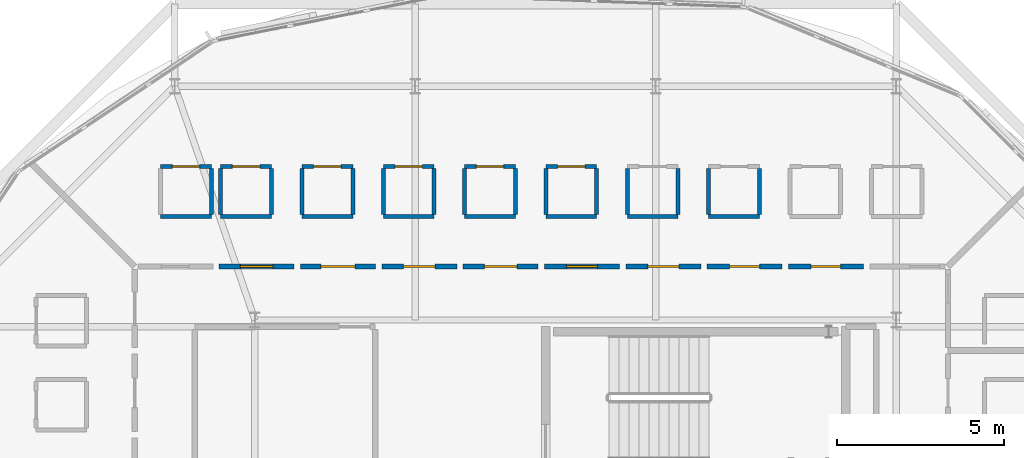
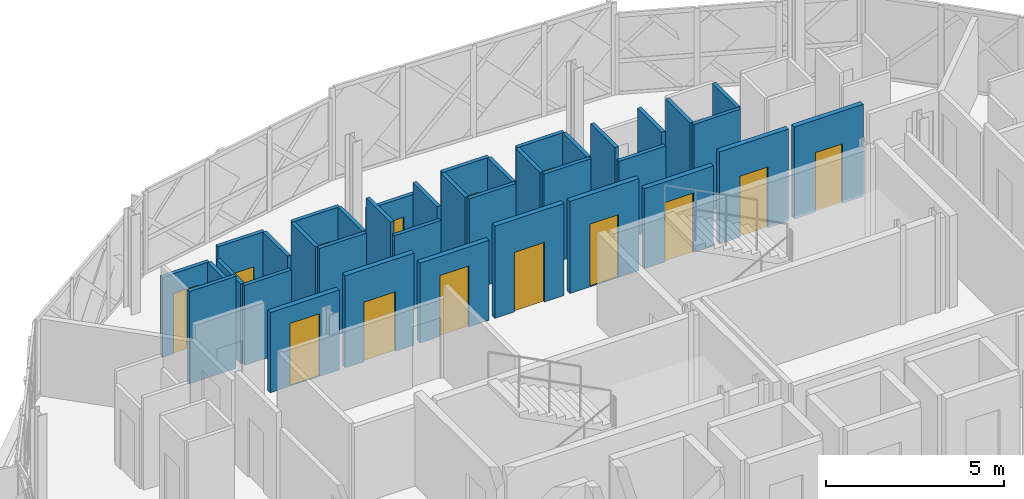
# One storey, part 18 of 24: 37 walls, 14 doors, 14 openings.
"""IFC4 building model written with IfcOpenShell, lengths in metres."""

from ifc_helpers import new_model, si_unit, direction, frame, frame_2d, origin, place, context, subcontext, project, spatial, rectangle, extrude, material, layer, layer_set, type_object, element, fill, save


model = new_model("IFC4")

# Units and contexts
model_context = context("Model", 3, precision=1e-05, world=origin(), true_north=direction((0.0, 1.0)))
body_context = subcontext(model_context, "Body", "Model", "MODEL_VIEW")
ifc_project = project(units=[si_unit("LENGTHUNIT", "METRE"), si_unit("AREAUNIT", "SQUARE_METRE"), si_unit("VOLUMEUNIT", "CUBIC_METRE"), si_unit("PLANEANGLEUNIT", "RADIAN"), si_unit("MASSUNIT", "GRAM", prefix="KILO")], contexts=[model_context])

# Site, building, storey
site_placement = place(None, origin())
site = spatial("IfcSite", under=ifc_project, at=site_placement, CompositionType="ELEMENT")
building_placement = place(site_placement, origin())
building = spatial("IfcBuilding", under=site, at=building_placement, Name="Zevrakil Square Congress Hotel", CompositionType="ELEMENT")
storey_placement = place(building_placement, frame((0.0, 0.0, 31.699951171875)))
storey = spatial("IfcBuildingStorey", under=building, at=storey_placement, Name="L09", CompositionType="ELEMENT", Elevation=31.699951171875)

# Wall, opening, door
ifc_material_1 = material(Name="Gypsum Acoustic Stud Partition")
ifc_layer_1 = layer(ifc_material_1, 0.159912109375)
ifc_layer_set_1 = layer_set([ifc_layer_1], Name="Gypsum Acoustic Stud Partition")
wall_type_1 = type_object("IfcWallType", Name="WAL-CORR-160", PredefinedType="PARTITIONING", material=ifc_layer_set_1)
wall_1_placement = place(storey_placement, frame((152.77490234375, 40.199951171875, 0.0), z_axis=(0.0, 0.0, 1.0), x_axis=(1.0, 0.0, 0.0)))
wall_1 = element("IfcWall", 1, at=wall_1_placement, inside=storey, type_object=wall_type_1, Name="L09 interior partition PW-L09-1478", PredefinedType="PARTITIONING", context=body_context, shape_type="SweptSolid", body=[
    extrude(rectangle(XDim=2.2451171875, YDim=0.159912109375, at=frame_2d((1.12255859375, 0.0))), origin(), (0.0, 0.0, 1.0), 3.170166015625),
])
opening_1_placement = place(wall_1_placement, frame((0.6826171875, 0.0, 0.0)))
opening_1 = element("IfcOpeningElement", 2, at=opening_1_placement, cuts=wall_1, Name="Opening ID-G02", PredefinedType="OPENING", context=body_context, shape_type="SweptSolid", body=[
    extrude(rectangle(XDim=0.8798828125, YDim=2.050048828125, at=frame_2d((0.43994140625, 1.02490234375))), frame((0.0, 0.08984375, 0.0), z_axis=(0.0, -1.0, 0.0), x_axis=(1.0, 0.0, 0.0)), (0.0, 0.0, 1.0), 0.179931640625),
])
ifc_material_2 = material(Name="Acoustic Timber Fire Door", Category="wood")
door_type_1 = type_object("IfcDoorType", Name="DOR-INT-G02", OperationType="NOTDEFINED", PredefinedType="DOOR", material=ifc_material_2)
door_1_placement = place(opening_1_placement, origin())
door_1 = element("IfcDoor", 3, at=door_1_placement, inside=storey, type_object=door_type_1, Name="L09 interior door 576", OperationType="SINGLE_SWING_RIGHT", OverallHeight=2.050048828125, OverallWidth=0.8798828125, PredefinedType="DOOR", context=body_context, shape_type="SweptSolid", body=[
    extrude(rectangle(XDim=0.8798828125, YDim=2.050048828125, at=frame_2d((0.43994140625, 1.02490234375))), frame((0.0, 0.02490234375, 0.0), z_axis=(0.0, -1.0, 0.0), x_axis=(1.0, 0.0, 0.0)), (0.0, 0.0, 1.0), 0.050048828125),
])
fill(opening_1, door_1)

wall_2_placement = place(storey_placement, frame((150.340087890625, 40.199951171875, 0.0), z_axis=(0.0, 0.0, 1.0), x_axis=(1.0, 0.0, 0.0)))
wall_2 = element("IfcWall", 4, at=wall_2_placement, inside=storey, type_object=wall_type_1, Name="L09 interior partition PW-L09-1483", PredefinedType="PARTITIONING", context=body_context, shape_type="SweptSolid", body=[
    extrude(rectangle(XDim=2.244873046875, YDim=0.159912109375, at=frame_2d((1.12255859375, 0.0))), origin(), (0.0, 0.0, 1.0), 3.170166015625),
])
opening_2_placement = place(wall_2_placement, frame((0.672607421875, 0.0, 0.0)))
opening_2 = element("IfcOpeningElement", 5, at=opening_2_placement, cuts=wall_2, Name="Opening ID-H05", PredefinedType="OPENING", context=body_context, shape_type="SweptSolid", body=[
    extrude(rectangle(XDim=0.89990234375, YDim=2.10009765625, at=frame_2d((0.449951171875, 1.050048828125))), frame((0.0, 0.08984375, 0.0), z_axis=(0.0, -1.0, 0.0), x_axis=(1.0, 0.0, 0.0)), (0.0, 0.0, 1.0), 0.179931640625),
])
ifc_material_3 = material(Name="Acoustic Timber Fire Door", Category="wood")
door_type_2 = type_object("IfcDoorType", Name="DOR-INT-H05", OperationType="NOTDEFINED", PredefinedType="DOOR", material=ifc_material_3)
door_2_placement = place(opening_2_placement, origin())
door_2 = element("IfcDoor", 6, at=door_2_placement, inside=storey, type_object=door_type_2, Name="L09 interior door 578", OperationType="SINGLE_SWING_RIGHT", OverallHeight=2.10009765625, OverallWidth=0.89990234375, PredefinedType="DOOR", context=body_context, shape_type="SweptSolid", body=[
    extrude(rectangle(XDim=0.89990234375, YDim=2.10009765625, at=frame_2d((0.449951171875, 1.050048828125))), frame((0.0, 0.02490234375, 0.0), z_axis=(0.0, -1.0, 0.0), x_axis=(1.0, 0.0, 0.0)), (0.0, 0.0, 1.0), 0.050048828125),
])
fill(opening_2, door_2)

wall_3_placement = place(storey_placement, frame((147.905029296875, 40.199951171875, 0.0), z_axis=(0.0, 0.0, 1.0), x_axis=(1.0, 0.0, 0.0)))
wall_3 = element("IfcWall", 7, at=wall_3_placement, inside=storey, type_object=wall_type_1, Name="L09 interior partition PW-L09-1488", PredefinedType="PARTITIONING", context=body_context, shape_type="SweptSolid", body=[
    extrude(rectangle(XDim=2.244873046875, YDim=0.159912109375, at=frame_2d((1.12255859375, 0.0))), origin(), (0.0, 0.0, 1.0), 2.755126953125),
])
opening_3_placement = place(wall_3_placement, frame((0.657470703125, 0.0, 0.0)))
opening_3 = element("IfcOpeningElement", 8, at=opening_3_placement, cuts=wall_3, Name="Opening ID-G04", PredefinedType="OPENING", context=body_context, shape_type="SweptSolid", body=[
    extrude(rectangle(XDim=0.929931640625, YDim=2.050048828125, at=frame_2d((0.46484375, 1.02490234375))), frame((0.0, 0.08984375, 0.0), z_axis=(0.0, -1.0, 0.0), x_axis=(1.0, 0.0, 0.0)), (0.0, 0.0, 1.0), 0.179931640625),
])
ifc_material_4 = material(Name="Acoustic Timber Fire Door", Category="wood")
door_type_3 = type_object("IfcDoorType", Name="DOR-INT-G04", OperationType="NOTDEFINED", PredefinedType="DOOR", material=ifc_material_4)
door_3_placement = place(opening_3_placement, origin())
door_3 = element("IfcDoor", 9, at=door_3_placement, inside=storey, type_object=door_type_3, Name="L09 interior door 580", OperationType="SINGLE_SWING_RIGHT", OverallHeight=2.050048828125, OverallWidth=0.929931640625, PredefinedType="DOOR", context=body_context, shape_type="SweptSolid", body=[
    extrude(rectangle(XDim=0.929931640625, YDim=2.050048828125, at=frame_2d((0.46484375, 1.02490234375))), frame((0.0, 0.02490234375, 0.0), z_axis=(0.0, -1.0, 0.0), x_axis=(1.0, 0.0, 0.0)), (0.0, 0.0, 1.0), 0.050048828125),
])
fill(opening_3, door_3)

wall_4_placement = place(storey_placement, frame((145.469970703125, 40.199951171875, 0.0), z_axis=(0.0, 0.0, 1.0), x_axis=(1.0, 0.0, 0.0)))
wall_4 = element("IfcWall", 10, at=wall_4_placement, inside=storey, type_object=wall_type_1, Name="L09 interior partition PW-L09-1493", PredefinedType="PARTITIONING", context=body_context, shape_type="SweptSolid", body=[
    extrude(rectangle(XDim=2.2451171875, YDim=0.159912109375, at=frame_2d((1.12255859375, 0.0))), origin(), (0.0, 0.0, 1.0), 3.170166015625),
])
opening_4_placement = place(wall_4_placement, frame((0.660400390625, 0.0, 0.0)))
opening_4 = element("IfcOpeningElement", 11, at=opening_4_placement, cuts=wall_4, Name="Opening ID-H07", PredefinedType="OPENING", context=body_context, shape_type="SweptSolid", body=[
    extrude(rectangle(XDim=0.924072265625, YDim=2.159912109375, at=frame_2d((0.4619140625, 1.080078125))), frame((0.0, 0.08984375, 0.0), z_axis=(0.0, -1.0, 0.0), x_axis=(1.0, 0.0, 0.0)), (0.0, 0.0, 1.0), 0.179931640625),
])
ifc_material_5 = material(Name="Acoustic Timber Fire Door", Category="wood")
door_type_4 = type_object("IfcDoorType", Name="DOR-INT-H07", OperationType="NOTDEFINED", PredefinedType="DOOR", material=ifc_material_5)
door_4_placement = place(opening_4_placement, origin())
door_4 = element("IfcDoor", 12, at=door_4_placement, inside=storey, type_object=door_type_4, Name="L09 interior door 582", OperationType="SINGLE_SWING_RIGHT", OverallHeight=2.159912109375, OverallWidth=0.924072265625, PredefinedType="DOOR", context=body_context, shape_type="SweptSolid", body=[
    extrude(rectangle(XDim=0.924072265625, YDim=2.159912109375, at=frame_2d((0.4619140625, 1.080078125))), frame((0.0, 0.02490234375, 0.0), z_axis=(0.0, -1.0, 0.0), x_axis=(1.0, 0.0, 0.0)), (0.0, 0.0, 1.0), 0.050048828125),
])
fill(opening_4, door_4)

wall_5_placement = place(storey_placement, frame((143.034912109375, 40.199951171875, 0.0), z_axis=(0.0, 0.0, 1.0), x_axis=(1.0, 0.0, 0.0)))
wall_5 = element("IfcWall", 13, at=wall_5_placement, inside=storey, type_object=wall_type_1, Name="L09 interior partition PW-L09-1498", PredefinedType="PARTITIONING", context=body_context, shape_type="SweptSolid", body=[
    extrude(rectangle(XDim=2.2451171875, YDim=0.159912109375, at=frame_2d((1.12255859375, 0.0))), origin(), (0.0, 0.0, 1.0), 3.170166015625),
])
opening_5_placement = place(wall_5_placement, frame((0.632568359375, 0.0, 0.0)))
opening_5 = element("IfcOpeningElement", 14, at=opening_5_placement, cuts=wall_5, Name="Opening ID-G06", PredefinedType="OPENING", context=body_context, shape_type="SweptSolid", body=[
    extrude(rectangle(XDim=0.97998046875, YDim=2.050048828125, at=frame_2d((0.489990234375, 1.02490234375))), frame((0.0, 0.08984375, 0.0), z_axis=(0.0, -1.0, 0.0), x_axis=(1.0, 0.0, 0.0)), (0.0, 0.0, 1.0), 0.179931640625),
])
ifc_material_6 = material(Name="Acoustic Timber Fire Door", Category="wood")
door_type_5 = type_object("IfcDoorType", Name="DOR-INT-G06", OperationType="NOTDEFINED", PredefinedType="DOOR", material=ifc_material_6)
door_5_placement = place(opening_5_placement, origin())
door_5 = element("IfcDoor", 15, at=door_5_placement, inside=storey, type_object=door_type_5, Name="L09 interior door 584", OperationType="SINGLE_SWING_RIGHT", OverallHeight=2.050048828125, OverallWidth=0.97998046875, PredefinedType="DOOR", context=body_context, shape_type="SweptSolid", body=[
    extrude(rectangle(XDim=0.97998046875, YDim=2.050048828125, at=frame_2d((0.489990234375, 1.02490234375))), frame((0.0, 0.02490234375, 0.0), z_axis=(0.0, -1.0, 0.0), x_axis=(1.0, 0.0, 0.0)), (0.0, 0.0, 1.0), 0.050048828125),
])
fill(opening_5, door_5)

wall_6_placement = place(storey_placement, frame((140.60009765625, 40.199951171875, 0.0), z_axis=(0.0, 0.0, 1.0), x_axis=(1.0, 0.0, 0.0)))
wall_6 = element("IfcWall", 16, at=wall_6_placement, inside=storey, type_object=wall_type_1, Name="L09 interior partition PW-L09-1503", PredefinedType="PARTITIONING", context=body_context, shape_type="SweptSolid", body=[
    extrude(rectangle(XDim=2.244873046875, YDim=0.159912109375, at=frame_2d((1.12255859375, 0.0))), origin(), (0.0, 0.0, 1.0), 2.755126953125),
])
opening_6_placement = place(wall_6_placement, frame((0.6484375, 0.0, 0.0)))
opening_6 = element("IfcOpeningElement", 17, at=opening_6_placement, cuts=wall_6, Name="Opening ID-H09", PredefinedType="OPENING", context=body_context, shape_type="SweptSolid", body=[
    extrude(rectangle(XDim=0.947998046875, YDim=2.10009765625, at=frame_2d((0.47412109375, 1.050048828125))), frame((0.0, 0.08984375, 0.0), z_axis=(0.0, -1.0, 0.0), x_axis=(1.0, 0.0, 0.0)), (0.0, 0.0, 1.0), 0.179931640625),
])
ifc_material_7 = material(Name="Acoustic Timber Fire Door", Category="wood")
door_type_6 = type_object("IfcDoorType", Name="DOR-INT-H09", OperationType="NOTDEFINED", PredefinedType="DOOR", material=ifc_material_7)
door_6_placement = place(opening_6_placement, origin())
door_6 = element("IfcDoor", 18, at=door_6_placement, inside=storey, type_object=door_type_6, Name="L09 interior door 586", OperationType="SINGLE_SWING_RIGHT", OverallHeight=2.10009765625, OverallWidth=0.947998046875, PredefinedType="DOOR", context=body_context, shape_type="SweptSolid", body=[
    extrude(rectangle(XDim=0.947998046875, YDim=2.10009765625, at=frame_2d((0.47412109375, 1.050048828125))), frame((0.0, 0.02490234375, 0.0), z_axis=(0.0, -1.0, 0.0), x_axis=(1.0, 0.0, 0.0)), (0.0, 0.0, 1.0), 0.050048828125),
])
fill(opening_6, door_6)

wall_7_placement = place(storey_placement, frame((138.1650390625, 40.199951171875, 0.0), z_axis=(0.0, 0.0, 1.0), x_axis=(1.0, 0.0, 0.0)))
wall_7 = element("IfcWall", 19, at=wall_7_placement, inside=storey, type_object=wall_type_1, Name="L09 interior partition PW-L09-1508", PredefinedType="PARTITIONING", context=body_context, shape_type="SweptSolid", body=[
    extrude(rectangle(XDim=2.244873046875, YDim=0.159912109375, at=frame_2d((1.12255859375, 0.0))), origin(), (0.0, 0.0, 1.0), 3.170166015625),
])
opening_7_placement = place(wall_7_placement, frame((0.607421875, 0.0, 0.0)))
opening_7 = element("IfcOpeningElement", 20, at=opening_7_placement, cuts=wall_7, Name="Opening ID-G08", PredefinedType="OPENING", context=body_context, shape_type="SweptSolid", body=[
    extrude(rectangle(XDim=1.030029296875, YDim=2.050048828125, at=frame_2d((0.51513671875, 1.02490234375))), frame((0.0, 0.08984375, 0.0), z_axis=(0.0, -1.0, 0.0), x_axis=(1.0, 0.0, 0.0)), (0.0, 0.0, 1.0), 0.179931640625),
])
ifc_material_8 = material(Name="Acoustic Timber Fire Door", Category="wood")
door_type_7 = type_object("IfcDoorType", Name="DOR-INT-G08", OperationType="NOTDEFINED", PredefinedType="DOOR", material=ifc_material_8)
door_7_placement = place(opening_7_placement, origin())
door_7 = element("IfcDoor", 21, at=door_7_placement, inside=storey, type_object=door_type_7, Name="L09 interior door 588", OperationType="SINGLE_SWING_RIGHT", OverallHeight=2.050048828125, OverallWidth=1.030029296875, PredefinedType="DOOR", context=body_context, shape_type="SweptSolid", body=[
    extrude(rectangle(XDim=1.030029296875, YDim=2.050048828125, at=frame_2d((0.51513671875, 1.02490234375))), frame((0.0, 0.02490234375, 0.0), z_axis=(0.0, -1.0, 0.0), x_axis=(1.0, 0.0, 0.0)), (0.0, 0.0, 1.0), 0.050048828125),
])
fill(opening_7, door_7)

wall_8_placement = place(storey_placement, frame((135.72998046875, 40.199951171875, 0.0), z_axis=(0.0, 0.0, 1.0), x_axis=(1.0, 0.0, 0.0)))
wall_8 = element("IfcWall", 22, at=wall_8_placement, inside=storey, type_object=wall_type_1, Name="L09 interior partition PW-L09-1513", PredefinedType="PARTITIONING", context=body_context, shape_type="SweptSolid", body=[
    extrude(rectangle(XDim=2.2451171875, YDim=0.159912109375, at=frame_2d((1.12255859375, 0.0))), origin(), (0.0, 0.0, 1.0), 2.755126953125),
])
opening_8_placement = place(wall_8_placement, frame((0.636474609375, 0.0, 0.0)))
opening_8 = element("IfcOpeningElement", 23, at=opening_8_placement, cuts=wall_8, Name="Opening ID-H11", PredefinedType="OPENING", context=body_context, shape_type="SweptSolid", body=[
    extrude(rectangle(XDim=0.971923828125, YDim=2.159912109375, at=frame_2d((0.48583984375, 1.080078125))), frame((0.0, 0.08984375, 0.0), z_axis=(0.0, -1.0, 0.0), x_axis=(1.0, 0.0, 0.0)), (0.0, 0.0, 1.0), 0.179931640625),
])
ifc_material_9 = material(Name="Acoustic Timber Fire Door", Category="wood")
door_type_8 = type_object("IfcDoorType", Name="DOR-INT-H11", OperationType="NOTDEFINED", PredefinedType="DOOR", material=ifc_material_9)
door_8_placement = place(opening_8_placement, origin())
door_8 = element("IfcDoor", 24, at=door_8_placement, inside=storey, type_object=door_type_8, Name="L09 interior door 590", OperationType="SINGLE_SWING_RIGHT", OverallHeight=2.159912109375, OverallWidth=0.971923828125, PredefinedType="DOOR", context=body_context, shape_type="SweptSolid", body=[
    extrude(rectangle(XDim=0.971923828125, YDim=2.159912109375, at=frame_2d((0.48583984375, 1.080078125))), frame((0.0, 0.02490234375, 0.0), z_axis=(0.0, -1.0, 0.0), x_axis=(1.0, 0.0, 0.0)), (0.0, 0.0, 1.0), 0.050048828125),
])
fill(opening_8, door_8)

# Walls
ifc_material_10 = material(Name="Moisture-Resistant Gypsum Partition")
ifc_layer_2 = layer(ifc_material_10, 0.1201171875)
ifc_layer_set_2 = layer_set([ifc_layer_2], Name="Moisture-Resistant Gypsum Partition")
wall_type_2 = type_object("IfcWallType", Name="WAL-ENS-120", PredefinedType="PARTITIONING", material=ifc_layer_set_2)
wall_9_placement = place(storey_placement, frame((150.385009765625, 41.699951171875, 0.0), z_axis=(0.0, 0.0, 1.0), x_axis=(1.0, 0.0, 0.0)))
element("IfcWall", 25, at=wall_9_placement, inside=storey, type_object=wall_type_2, Name="L09 interior partition PW-L09-1484", PredefinedType="PARTITIONING", context=body_context, shape_type="SweptSolid", body=[
    extrude(rectangle(XDim=1.52001953125, YDim=0.1201171875, at=frame_2d((0.760009765625, 0.0))), origin(), (0.0, 0.0, 1.0), 3.170166015625),
])
for number, where, z_axis, x_axis, name in (
    (26, (150.385009765625, 41.764892578125, 0.0), (0.0, 0.0, 1.0), (0.0, 1.0, 0.0), "L09 interior partition PW-L09-1486"),
    (27, (151.905029296875, 41.764892578125, 0.0), (0.0, 0.0, 1.0), (0.0, 1.0, 0.0), "L09 interior partition PW-L09-1487"),
):
    element("IfcWall", number, at=place(storey_placement, frame(where, z_axis=z_axis, x_axis=x_axis)), inside=storey, type_object=wall_type_2, Name=name, PredefinedType="PARTITIONING", context=body_context, shape_type="SweptSolid", body=[
        extrude(rectangle(XDim=1.3701171875, YDim=0.1201171875, at=frame_2d((0.68505859375, 0.0))), origin(), (0.0, 0.0, 1.0), 3.170166015625),
    ])
wall_10_placement = place(storey_placement, frame((147.949951171875, 41.699951171875, 0.0), z_axis=(0.0, 0.0, 1.0), x_axis=(1.0, 0.0, 0.0)))
element("IfcWall", 28, at=wall_10_placement, inside=storey, type_object=wall_type_2, Name="L09 interior partition PW-L09-1489", PredefinedType="PARTITIONING", context=body_context, shape_type="SweptSolid", body=[
    extrude(rectangle(XDim=1.52001953125, YDim=0.1201171875, at=frame_2d((0.760009765625, 0.0))), origin(), (0.0, 0.0, 1.0), 2.755126953125),
])
for number, where, z_axis, x_axis, name in (
    (29, (147.949951171875, 41.764892578125, 0.0), (0.0, 0.0, 1.0), (0.0, 1.0, 0.0), "L09 interior partition PW-L09-1491"),
    (30, (149.469970703125, 41.764892578125, 0.0), (0.0, 0.0, 1.0), (0.0, 1.0, 0.0), "L09 interior partition PW-L09-1492"),
):
    element("IfcWall", number, at=place(storey_placement, frame(where, z_axis=z_axis, x_axis=x_axis)), inside=storey, type_object=wall_type_2, Name=name, PredefinedType="PARTITIONING", context=body_context, shape_type="SweptSolid", body=[
        extrude(rectangle(XDim=1.3701171875, YDim=0.1201171875, at=frame_2d((0.68505859375, 0.0))), origin(), (0.0, 0.0, 1.0), 3.170166015625),
    ])
wall_11_placement = place(storey_placement, frame((145.514892578125, 41.699951171875, 0.0), z_axis=(0.0, 0.0, 1.0), x_axis=(1.0, 0.0, 0.0)))
element("IfcWall", 31, at=wall_11_placement, inside=storey, type_object=wall_type_2, Name="L09 interior partition PW-L09-1494", PredefinedType="PARTITIONING", context=body_context, shape_type="SweptSolid", body=[
    extrude(rectangle(XDim=1.52001953125, YDim=0.1201171875, at=frame_2d((0.760009765625, 0.0))), origin(), (0.0, 0.0, 1.0), 3.170166015625),
])

# Wall, opening, door
wall_12_placement = place(storey_placement, frame((145.514892578125, 43.199951171875, 0.0), z_axis=(0.0, 0.0, 1.0), x_axis=(1.0, 0.0, 0.0)))
wall_12 = element("IfcWall", 32, at=wall_12_placement, inside=storey, type_object=wall_type_2, Name="L09 interior partition PW-L09-1495", PredefinedType="PARTITIONING", context=body_context, shape_type="SweptSolid", body=[
    extrude(rectangle(XDim=1.52001953125, YDim=0.1201171875, at=frame_2d((0.760009765625, 0.0))), origin(), (0.0, 0.0, 1.0), 3.170166015625),
])
opening_9_placement = place(wall_12_placement, frame((0.35009765625, 0.0, 0.0)))
opening_9 = element("IfcOpeningElement", 33, at=opening_9_placement, cuts=wall_12, Name="Opening ID-11", PredefinedType="OPENING", context=body_context, shape_type="SweptSolid", body=[
    extrude(rectangle(XDim=0.820068359375, YDim=2.080078125, at=frame_2d((0.41015625, 1.0400390625))), frame((0.0, 0.070068359375, 0.0), z_axis=(0.0, -1.0, 0.0), x_axis=(1.0, 0.0, 0.0)), (0.0, 0.0, 1.0), 0.14013671875),
])
ifc_material_11 = material(Name="Acoustic Timber Door", Category="wood")
door_type_9 = type_object("IfcDoorType", Name="DOR-INT-V01", OperationType="NOTDEFINED", PredefinedType="DOOR", material=ifc_material_11)
door_9_placement = place(opening_9_placement, origin())
door_9 = element("IfcDoor", 34, at=door_9_placement, inside=storey, type_object=door_type_9, Name="L09 interior door 583", OperationType="SINGLE_SWING_LEFT", OverallHeight=2.080078125, OverallWidth=0.820068359375, PredefinedType="DOOR", context=body_context, shape_type="SweptSolid", body=[
    extrude(rectangle(XDim=0.820068359375, YDim=2.080078125, at=frame_2d((0.41015625, 1.0400390625))), frame((0.0, 0.02490234375, 0.0), z_axis=(0.0, -1.0, 0.0), x_axis=(1.0, 0.0, 0.0)), (0.0, 0.0, 1.0), 0.050048828125),
])
fill(opening_9, door_9)

# Walls
for number, where, z_axis, x_axis, name in (
    (35, (145.514892578125, 41.764892578125, 0.0), (0.0, 0.0, 1.0), (0.0, 1.0, 0.0), "L09 interior partition PW-L09-1496"),
    (36, (147.034912109375, 41.764892578125, 0.0), (0.0, 0.0, 1.0), (0.0, 1.0, 0.0), "L09 interior partition PW-L09-1497"),
):
    element("IfcWall", number, at=place(storey_placement, frame(where, z_axis=z_axis, x_axis=x_axis)), inside=storey, type_object=wall_type_2, Name=name, PredefinedType="PARTITIONING", context=body_context, shape_type="SweptSolid", body=[
        extrude(rectangle(XDim=1.3701171875, YDim=0.1201171875, at=frame_2d((0.68505859375, 0.0))), origin(), (0.0, 0.0, 1.0), 3.170166015625),
    ])
wall_13_placement = place(storey_placement, frame((143.080078125, 41.699951171875, 0.0), z_axis=(0.0, 0.0, 1.0), x_axis=(1.0, 0.0, 0.0)))
element("IfcWall", 37, at=wall_13_placement, inside=storey, type_object=wall_type_2, Name="L09 interior partition PW-L09-1499", PredefinedType="PARTITIONING", context=body_context, shape_type="SweptSolid", body=[
    extrude(rectangle(XDim=1.52001953125, YDim=0.1201171875, at=frame_2d((0.760009765625, 0.0))), origin(), (0.0, 0.0, 1.0), 3.170166015625),
])

# Wall, opening, door
wall_14_placement = place(storey_placement, frame((143.080078125, 43.199951171875, 0.0), z_axis=(0.0, 0.0, 1.0), x_axis=(1.0, 0.0, 0.0)))
wall_14 = element("IfcWall", 38, at=wall_14_placement, inside=storey, type_object=wall_type_2, Name="L09 interior partition PW-L09-1500", PredefinedType="PARTITIONING", context=body_context, shape_type="SweptSolid", body=[
    extrude(rectangle(XDim=1.52001953125, YDim=0.1201171875, at=frame_2d((0.760009765625, 0.0))), origin(), (0.0, 0.0, 1.0), 3.170166015625),
])
opening_10_placement = place(wall_14_placement, frame((0.35009765625, 0.0, 0.0)))
opening_10 = element("IfcOpeningElement", 39, at=opening_10_placement, cuts=wall_14, Name="Opening ID-11", PredefinedType="OPENING", context=body_context, shape_type="SweptSolid", body=[
    extrude(rectangle(XDim=0.820068359375, YDim=2.080078125, at=frame_2d((0.41015625, 1.0400390625))), frame((0.0, 0.070068359375, 0.0), z_axis=(0.0, -1.0, 0.0), x_axis=(1.0, 0.0, 0.0)), (0.0, 0.0, 1.0), 0.14013671875),
])
door_10_placement = place(opening_10_placement, origin())
door_10 = element("IfcDoor", 40, at=door_10_placement, inside=storey, type_object=door_type_9, Name="L09 interior door 585", OperationType="SINGLE_SWING_LEFT", OverallHeight=2.080078125, OverallWidth=0.820068359375, PredefinedType="DOOR", context=body_context, shape_type="SweptSolid", body=[
    extrude(rectangle(XDim=0.820068359375, YDim=2.080078125, at=frame_2d((0.41015625, 1.0400390625))), frame((0.0, 0.02490234375, 0.0), z_axis=(0.0, -1.0, 0.0), x_axis=(1.0, 0.0, 0.0)), (0.0, 0.0, 1.0), 0.050048828125),
])
fill(opening_10, door_10)

# Walls
for number, where, z_axis, x_axis, name in (
    (41, (143.080078125, 41.764892578125, 0.0), (0.0, 0.0, 1.0), (0.0, 1.0, 0.0), "L09 interior partition PW-L09-1501"),
    (42, (144.60009765625, 41.764892578125, 0.0), (0.0, 0.0, 1.0), (0.0, 1.0, 0.0), "L09 interior partition PW-L09-1502"),
):
    element("IfcWall", number, at=place(storey_placement, frame(where, z_axis=z_axis, x_axis=x_axis)), inside=storey, type_object=wall_type_2, Name=name, PredefinedType="PARTITIONING", context=body_context, shape_type="SweptSolid", body=[
        extrude(rectangle(XDim=1.3701171875, YDim=0.1201171875, at=frame_2d((0.68505859375, 0.0))), origin(), (0.0, 0.0, 1.0), 3.170166015625),
    ])
wall_15_placement = place(storey_placement, frame((140.64501953125, 41.699951171875, 0.0), z_axis=(0.0, 0.0, 1.0), x_axis=(1.0, 0.0, 0.0)))
element("IfcWall", 43, at=wall_15_placement, inside=storey, type_object=wall_type_2, Name="L09 interior partition PW-L09-1504", PredefinedType="PARTITIONING", context=body_context, shape_type="SweptSolid", body=[
    extrude(rectangle(XDim=1.52001953125, YDim=0.1201171875, at=frame_2d((0.760009765625, 0.0))), origin(), (0.0, 0.0, 1.0), 2.755126953125),
])

# Wall, opening, door
wall_16_placement = place(storey_placement, frame((140.64501953125, 43.199951171875, 0.0), z_axis=(0.0, 0.0, 1.0), x_axis=(1.0, 0.0, 0.0)))
wall_16 = element("IfcWall", 44, at=wall_16_placement, inside=storey, type_object=wall_type_2, Name="L09 interior partition PW-L09-1505", PredefinedType="PARTITIONING", context=body_context, shape_type="SweptSolid", body=[
    extrude(rectangle(XDim=1.52001953125, YDim=0.1201171875, at=frame_2d((0.760009765625, 0.0))), origin(), (0.0, 0.0, 1.0), 2.755126953125),
])
opening_11_placement = place(wall_16_placement, frame((0.35009765625, 0.0, 0.0)))
opening_11 = element("IfcOpeningElement", 45, at=opening_11_placement, cuts=wall_16, Name="Opening ID-11", PredefinedType="OPENING", context=body_context, shape_type="SweptSolid", body=[
    extrude(rectangle(XDim=0.820068359375, YDim=2.080078125, at=frame_2d((0.41015625, 1.0400390625))), frame((0.0, 0.070068359375, 0.0), z_axis=(0.0, -1.0, 0.0), x_axis=(1.0, 0.0, 0.0)), (0.0, 0.0, 1.0), 0.14013671875),
])
door_11_placement = place(opening_11_placement, origin())
door_11 = element("IfcDoor", 46, at=door_11_placement, inside=storey, type_object=door_type_9, Name="L09 interior door 587", OperationType="SINGLE_SWING_LEFT", OverallHeight=2.080078125, OverallWidth=0.820068359375, PredefinedType="DOOR", context=body_context, shape_type="SweptSolid", body=[
    extrude(rectangle(XDim=0.820068359375, YDim=2.080078125, at=frame_2d((0.41015625, 1.0400390625))), frame((0.0, 0.02490234375, 0.0), z_axis=(0.0, -1.0, 0.0), x_axis=(1.0, 0.0, 0.0)), (0.0, 0.0, 1.0), 0.050048828125),
])
fill(opening_11, door_11)

# Walls
for number, where, z_axis, x_axis, name in (
    (47, (140.64501953125, 41.764892578125, 0.0), (0.0, 0.0, 1.0), (0.0, 1.0, 0.0), "L09 interior partition PW-L09-1506"),
    (48, (142.1650390625, 41.764892578125, 0.0), (0.0, 0.0, 1.0), (0.0, 1.0, 0.0), "L09 interior partition PW-L09-1507"),
):
    element("IfcWall", number, at=place(storey_placement, frame(where, z_axis=z_axis, x_axis=x_axis)), inside=storey, type_object=wall_type_2, Name=name, PredefinedType="PARTITIONING", context=body_context, shape_type="SweptSolid", body=[
        extrude(rectangle(XDim=1.3701171875, YDim=0.1201171875, at=frame_2d((0.68505859375, 0.0))), origin(), (0.0, 0.0, 1.0), 3.170166015625),
    ])
wall_17_placement = place(storey_placement, frame((138.2099609375, 41.699951171875, 0.0), z_axis=(0.0, 0.0, 1.0), x_axis=(1.0, 0.0, 0.0)))
element("IfcWall", 49, at=wall_17_placement, inside=storey, type_object=wall_type_2, Name="L09 interior partition PW-L09-1509", PredefinedType="PARTITIONING", context=body_context, shape_type="SweptSolid", body=[
    extrude(rectangle(XDim=1.52001953125, YDim=0.1201171875, at=frame_2d((0.760009765625, 0.0))), origin(), (0.0, 0.0, 1.0), 3.170166015625),
])

# Wall, opening, door
wall_18_placement = place(storey_placement, frame((138.2099609375, 43.199951171875, 0.0), z_axis=(0.0, 0.0, 1.0), x_axis=(1.0, 0.0, 0.0)))
wall_18 = element("IfcWall", 50, at=wall_18_placement, inside=storey, type_object=wall_type_2, Name="L09 interior partition PW-L09-1510", PredefinedType="PARTITIONING", context=body_context, shape_type="SweptSolid", body=[
    extrude(rectangle(XDim=1.52001953125, YDim=0.1201171875, at=frame_2d((0.760009765625, 0.0))), origin(), (0.0, 0.0, 1.0), 3.170166015625),
])
opening_12_placement = place(wall_18_placement, frame((0.35009765625, 0.0, 0.0)))
opening_12 = element("IfcOpeningElement", 51, at=opening_12_placement, cuts=wall_18, Name="Opening ID-11", PredefinedType="OPENING", context=body_context, shape_type="SweptSolid", body=[
    extrude(rectangle(XDim=0.820068359375, YDim=2.080078125, at=frame_2d((0.41015625, 1.0400390625))), frame((0.0, 0.070068359375, 0.0), z_axis=(0.0, -1.0, 0.0), x_axis=(1.0, 0.0, 0.0)), (0.0, 0.0, 1.0), 0.14013671875),
])
door_12_placement = place(opening_12_placement, origin())
door_12 = element("IfcDoor", 52, at=door_12_placement, inside=storey, type_object=door_type_9, Name="L09 interior door 589", OperationType="SINGLE_SWING_LEFT", OverallHeight=2.080078125, OverallWidth=0.820068359375, PredefinedType="DOOR", context=body_context, shape_type="SweptSolid", body=[
    extrude(rectangle(XDim=0.820068359375, YDim=2.080078125, at=frame_2d((0.41015625, 1.0400390625))), frame((0.0, 0.02490234375, 0.0), z_axis=(0.0, -1.0, 0.0), x_axis=(1.0, 0.0, 0.0)), (0.0, 0.0, 1.0), 0.050048828125),
])
fill(opening_12, door_12)

# Walls
for number, where, z_axis, x_axis, name in (
    (53, (138.2099609375, 41.764892578125, 0.0), (0.0, 0.0, 1.0), (0.0, 1.0, 0.0), "L09 interior partition PW-L09-1511"),
    (54, (139.72998046875, 41.764892578125, 0.0), (0.0, 0.0, 1.0), (0.0, 1.0, 0.0), "L09 interior partition PW-L09-1512"),
):
    element("IfcWall", number, at=place(storey_placement, frame(where, z_axis=z_axis, x_axis=x_axis)), inside=storey, type_object=wall_type_2, Name=name, PredefinedType="PARTITIONING", context=body_context, shape_type="SweptSolid", body=[
        extrude(rectangle(XDim=1.3701171875, YDim=0.1201171875, at=frame_2d((0.68505859375, 0.0))), origin(), (0.0, 0.0, 1.0), 3.170166015625),
    ])
wall_19_placement = place(storey_placement, frame((135.77490234375, 41.699951171875, 0.0), z_axis=(0.0, 0.0, 1.0), x_axis=(1.0, 0.0, 0.0)))
element("IfcWall", 55, at=wall_19_placement, inside=storey, type_object=wall_type_2, Name="L09 interior partition PW-L09-1514", PredefinedType="PARTITIONING", context=body_context, shape_type="SweptSolid", body=[
    extrude(rectangle(XDim=1.52001953125, YDim=0.1201171875, at=frame_2d((0.760009765625, 0.0))), origin(), (0.0, 0.0, 1.0), 2.755126953125),
])

# Wall, opening, door
wall_20_placement = place(storey_placement, frame((135.77490234375, 43.199951171875, 0.0), z_axis=(0.0, 0.0, 1.0), x_axis=(1.0, 0.0, 0.0)))
wall_20 = element("IfcWall", 56, at=wall_20_placement, inside=storey, type_object=wall_type_2, Name="L09 interior partition PW-L09-1515", PredefinedType="PARTITIONING", context=body_context, shape_type="SweptSolid", body=[
    extrude(rectangle(XDim=1.52001953125, YDim=0.1201171875, at=frame_2d((0.760009765625, 0.0))), origin(), (0.0, 0.0, 1.0), 3.170166015625),
])
opening_13_placement = place(wall_20_placement, frame((0.35009765625, 0.0, 0.0)))
opening_13 = element("IfcOpeningElement", 57, at=opening_13_placement, cuts=wall_20, Name="Opening ID-11", PredefinedType="OPENING", context=body_context, shape_type="SweptSolid", body=[
    extrude(rectangle(XDim=0.820068359375, YDim=2.080078125, at=frame_2d((0.41015625, 1.0400390625))), frame((0.0, 0.070068359375, 0.0), z_axis=(0.0, -1.0, 0.0), x_axis=(1.0, 0.0, 0.0)), (0.0, 0.0, 1.0), 0.14013671875),
])
door_13_placement = place(opening_13_placement, origin())
door_13 = element("IfcDoor", 58, at=door_13_placement, inside=storey, type_object=door_type_9, Name="L09 interior door 591", OperationType="SINGLE_SWING_LEFT", OverallHeight=2.080078125, OverallWidth=0.820068359375, PredefinedType="DOOR", context=body_context, shape_type="SweptSolid", body=[
    extrude(rectangle(XDim=0.820068359375, YDim=2.080078125, at=frame_2d((0.41015625, 1.0400390625))), frame((0.0, 0.02490234375, 0.0), z_axis=(0.0, -1.0, 0.0), x_axis=(1.0, 0.0, 0.0)), (0.0, 0.0, 1.0), 0.050048828125),
])
fill(opening_13, door_13)

# Walls
wall_21_placement = place(storey_placement, frame((135.77490234375, 41.764892578125, 0.0), z_axis=(0.0, 0.0, 1.0), x_axis=(0.0, 1.0, 0.0)))
element("IfcWall", 59, at=wall_21_placement, inside=storey, type_object=wall_type_2, Name="L09 interior partition PW-L09-1516", PredefinedType="PARTITIONING", context=body_context, shape_type="SweptSolid", body=[
    extrude(rectangle(XDim=1.3701171875, YDim=0.1201171875, at=frame_2d((0.68505859375, 0.0))), origin(), (0.0, 0.0, 1.0), 2.755126953125),
])
wall_22_placement = place(storey_placement, frame((137.294921875, 41.764892578125, 0.0), z_axis=(0.0, 0.0, 1.0), x_axis=(0.0, 1.0, 0.0)))
element("IfcWall", 60, at=wall_22_placement, inside=storey, type_object=wall_type_2, Name="L09 interior partition PW-L09-1517", PredefinedType="PARTITIONING", context=body_context, shape_type="SweptSolid", body=[
    extrude(rectangle(XDim=1.3701171875, YDim=0.1201171875, at=frame_2d((0.68505859375, 0.0))), origin(), (0.0, 0.0, 1.0), 3.170166015625),
])
wall_23_placement = place(storey_placement, frame((133.97509765625, 41.699951171875, 0.0), z_axis=(0.0, 0.0, 1.0), x_axis=(1.0, 0.0, 0.0)))
element("IfcWall", 61, at=wall_23_placement, inside=storey, type_object=wall_type_2, Name="L09 interior partition PW-L09-1519", PredefinedType="PARTITIONING", context=body_context, shape_type="SweptSolid", body=[
    extrude(rectangle(XDim=1.52001953125, YDim=0.1201171875, at=frame_2d((0.760009765625, 0.0))), origin(), (0.0, 0.0, 1.0), 3.170166015625),
])

# Wall, opening, door
wall_24_placement = place(storey_placement, frame((133.97509765625, 43.199951171875, 0.0), z_axis=(0.0, 0.0, 1.0), x_axis=(1.0, 0.0, 0.0)))
wall_24 = element("IfcWall", 62, at=wall_24_placement, inside=storey, type_object=wall_type_2, Name="L09 interior partition PW-L09-1520", PredefinedType="PARTITIONING", context=body_context, shape_type="SweptSolid", body=[
    extrude(rectangle(XDim=1.52001953125, YDim=0.1201171875, at=frame_2d((0.760009765625, 0.0))), origin(), (0.0, 0.0, 1.0), 2.755126953125),
])
opening_14_placement = place(wall_24_placement, frame((0.35009765625, 0.0, 0.0)))
opening_14 = element("IfcOpeningElement", 63, at=opening_14_placement, cuts=wall_24, Name="Opening ID-11", PredefinedType="OPENING", context=body_context, shape_type="SweptSolid", body=[
    extrude(rectangle(XDim=0.820068359375, YDim=2.080078125, at=frame_2d((0.41015625, 1.0400390625))), frame((0.0, 0.070068359375, 0.0), z_axis=(0.0, -1.0, 0.0), x_axis=(1.0, 0.0, 0.0)), (0.0, 0.0, 1.0), 0.14013671875),
])
door_14_placement = place(opening_14_placement, origin())
door_14 = element("IfcDoor", 64, at=door_14_placement, inside=storey, type_object=door_type_9, Name="L09 interior door 593", OperationType="SINGLE_SWING_LEFT", OverallHeight=2.080078125, OverallWidth=0.820068359375, PredefinedType="DOOR", context=body_context, shape_type="SweptSolid", body=[
    extrude(rectangle(XDim=0.820068359375, YDim=2.080078125, at=frame_2d((0.41015625, 1.0400390625))), frame((0.0, 0.02490234375, 0.0), z_axis=(0.0, -1.0, 0.0), x_axis=(1.0, 0.0, 0.0)), (0.0, 0.0, 1.0), 0.050048828125),
])
fill(opening_14, door_14)

# Wall
wall_25_placement = place(storey_placement, frame((135.4951171875, 41.764892578125, 0.0), z_axis=(0.0, 0.0, 1.0), x_axis=(0.0, 1.0, 0.0)))
element("IfcWall", 65, at=wall_25_placement, inside=storey, type_object=wall_type_2, Name="L09 interior partition PW-L09-1522", PredefinedType="PARTITIONING", context=body_context, shape_type="SweptSolid", body=[
    extrude(rectangle(XDim=1.3701171875, YDim=0.1201171875, at=frame_2d((0.68505859375, 0.0))), origin(), (0.0, 0.0, 1.0), 2.755126953125),
])

save(model, "model.ifc")
